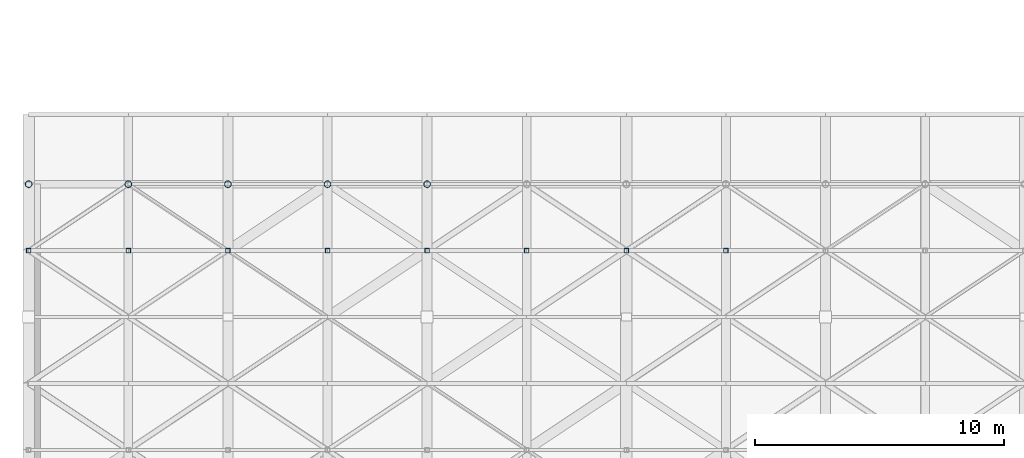
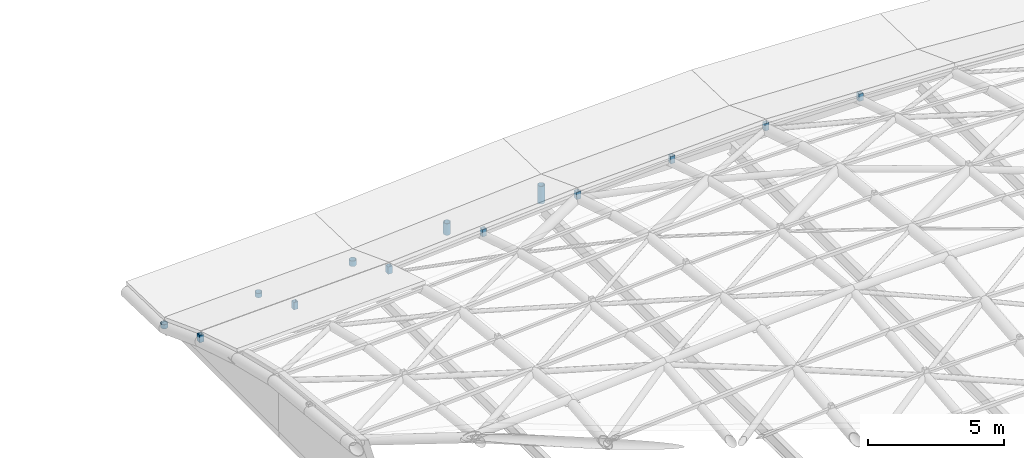
# One storey, part 16 of 20: 13 members.
"""IFC4 building model written with IfcOpenShell, lengths in metres."""

from ifc_helpers import new_model, si_unit, direction, frame, origin, origin_2d, place, context, subcontext, project, spatial, hollow_rectangle, hollow_circle, extrude, material, material_profile, profile_set, type_object, element, save


model = new_model("IFC4")

# Units and contexts
model_context = context("Model", 3, precision=1e-05, world=origin(), true_north=direction((0.0, 1.0)))
body_context = subcontext(model_context, "Body", "Model", "MODEL_VIEW")
ifc_project = project(units=[si_unit("LENGTHUNIT", "METRE"), si_unit("AREAUNIT", "SQUARE_METRE"), si_unit("VOLUMEUNIT", "CUBIC_METRE"), si_unit("PLANEANGLEUNIT", "RADIAN"), si_unit("MASSUNIT", "GRAM", prefix="KILO")], contexts=[model_context])

# Site, building, storey
site_placement = place(None, origin())
site = spatial("IfcSite", under=ifc_project, at=site_placement, CompositionType="ELEMENT")
building_placement = place(site_placement, origin())
building = spatial("IfcBuilding", under=site, at=building_placement, Name="Tenunan Teduh Sports Hall", CompositionType="ELEMENT")
storey_placement = place(building_placement, frame((0.0, 0.0, 23.39990234375)))
storey = spatial("IfcBuildingStorey", under=building, at=storey_placement, Name="RF", CompositionType="ELEMENT", Elevation=23.39990234375)

# Members
ifc_material_1 = material(Name="Steel S355", Category="steel")
ifc_material_profile_1 = material_profile(ifc_material_1, hollow_circle(Radius=0.136474609375, WallThickness=0.010009765625, at=origin_2d()), Name="CHS 273.0x10.0")
ifc_profile_set_1 = profile_set([ifc_material_profile_1], Name="Steel S355")
member_type_1 = type_object("IfcMemberType", Name="MEM-ST-CHS273", PredefinedType="STRUT", material=ifc_profile_set_1)
for number, where, z_axis, x_axis, name in (
    (1, (6.0, 46.0, -0.349853515625), (0.0, 0.0, 1.0), (1.0, 0.0, 0.0), "MEM-VS-04-RF-0409"),
    (2, (10.0, 46.0, -0.349853515625), (0.0, 0.0, 1.0), (1.0, 0.0, 0.0), "MEM-VS-04-RF-0417"),
):
    element("IfcMember", number, at=place(storey_placement, frame(where, z_axis=z_axis, x_axis=x_axis)), inside=storey, type_object=member_type_1, Name=name, PredefinedType="STRUT", context=body_context, shape_type="SweptSolid", body=[
        extrude(hollow_circle(Radius=0.136474609375, WallThickness=0.010009765625, at=origin_2d()), origin(), (0.0, 0.0, 1.0), 0.18994140625),
    ])
member_1_placement = place(storey_placement, frame((14.0, 46.0, -0.349853515625), z_axis=(0.0, 0.0, 1.0), x_axis=(1.0, 0.0, 0.0)))
element("IfcMember", 3, at=member_1_placement, inside=storey, type_object=member_type_1, Name="MEM-VS-04-RF-0425", PredefinedType="STRUT", context=body_context, shape_type="SweptSolid", body=[
    extrude(hollow_circle(Radius=0.136474609375, WallThickness=0.010009765625, at=origin_2d()), origin(), (0.0, 0.0, 1.0), 0.243408203125),
])
member_2_placement = place(storey_placement, frame((18.0, 46.0, -0.349853515625), z_axis=(0.0, 0.0, 1.0), x_axis=(1.0, 0.0, 0.0)))
element("IfcMember", 4, at=member_2_placement, inside=storey, type_object=member_type_1, Name="MEM-VS-04-RF-0433", PredefinedType="STRUT", context=body_context, shape_type="SweptSolid", body=[
    extrude(hollow_circle(Radius=0.136474609375, WallThickness=0.010009765625, at=origin_2d()), origin(), (0.0, 0.0, 1.0), 0.520751953125),
])
member_3_placement = place(storey_placement, frame((22.0, 46.0, -0.349853515625), z_axis=(0.0, 0.0, 1.0), x_axis=(1.0, 0.0, 0.0)))
element("IfcMember", 5, at=member_3_placement, inside=storey, type_object=member_type_1, Name="MEM-VS-04-RF-0441", PredefinedType="STRUT", context=body_context, shape_type="SweptSolid", body=[
    extrude(hollow_circle(Radius=0.136474609375, WallThickness=0.010009765625, at=origin_2d()), origin(), (0.0, 0.0, 1.0), 0.794189453125),
])
ifc_material_2 = material(Name="Steel S355", Category="steel")
ifc_material_profile_2 = material_profile(ifc_material_2, hollow_rectangle(XDim=0.179931640625, YDim=0.179931640625, WallThickness=0.010009765625, at=origin_2d()), Name="SHS 180x180x10.0")
ifc_profile_set_2 = profile_set([ifc_material_profile_2], Name="Steel S355")
member_type_2 = type_object("IfcMemberType", Name="MEM-ST-SHS180", PredefinedType="STRUT", material=ifc_profile_set_2)
for number, where, z_axis, x_axis, name in (
    (6, (6.0, 43.333251953125, 0.6279296875), (0.0, 0.0, 1.0), (1.0, 0.0, 0.0), "MEM-VS-03-RF-0415"),
    (7, (10.0, 43.333251953125, 0.7021484375), (0.0, 0.0, 1.0), (1.0, 0.0, 0.0), "MEM-VS-03-RF-0423"),
    (8, (14.0, 43.333251953125, 0.9013671875), (0.0, 0.0, 1.0), (1.0, 0.0, 0.0), "MEM-VS-03-RF-0431"),
    (9, (18.0, 43.333251953125, 1.1787109375), (0.0, 0.0, 1.0), (1.0, 0.0, 0.0), "MEM-VS-03-RF-0439"),
    (10, (22.0, 43.333251953125, 1.4521484375), (0.0, 0.0, 1.0), (1.0, 0.0, 0.0), "MEM-VS-03-RF-0447"),
    (11, (26.0, 43.333251953125, 1.6552734375), (0.0, 0.0, 1.0), (1.0, 0.0, 0.0), "MEM-VS-03-RF-0455"),
    (12, (30.0, 43.333251953125, 1.7294921875), (0.0, 0.0, 1.0), (1.0, 0.0, 0.0), "MEM-VS-03-RF-0463"),
    (13, (34.0, 43.333251953125, 1.6552734375), (0.0, 0.0, 1.0), (1.0, 0.0, 0.0), "MEM-VS-03-RF-0471"),
):
    element("IfcMember", number, at=place(storey_placement, frame(where, z_axis=z_axis, x_axis=x_axis)), inside=storey, type_object=member_type_2, Name=name, PredefinedType="STRUT", context=body_context, shape_type="SweptSolid", body=[
        extrude(hollow_rectangle(XDim=0.179931640625, YDim=0.179931640625, WallThickness=0.010009765625, at=origin_2d()), origin(), (0.0, 0.0, 1.0), 0.330078125),
    ])

save(model, "model.ifc")
